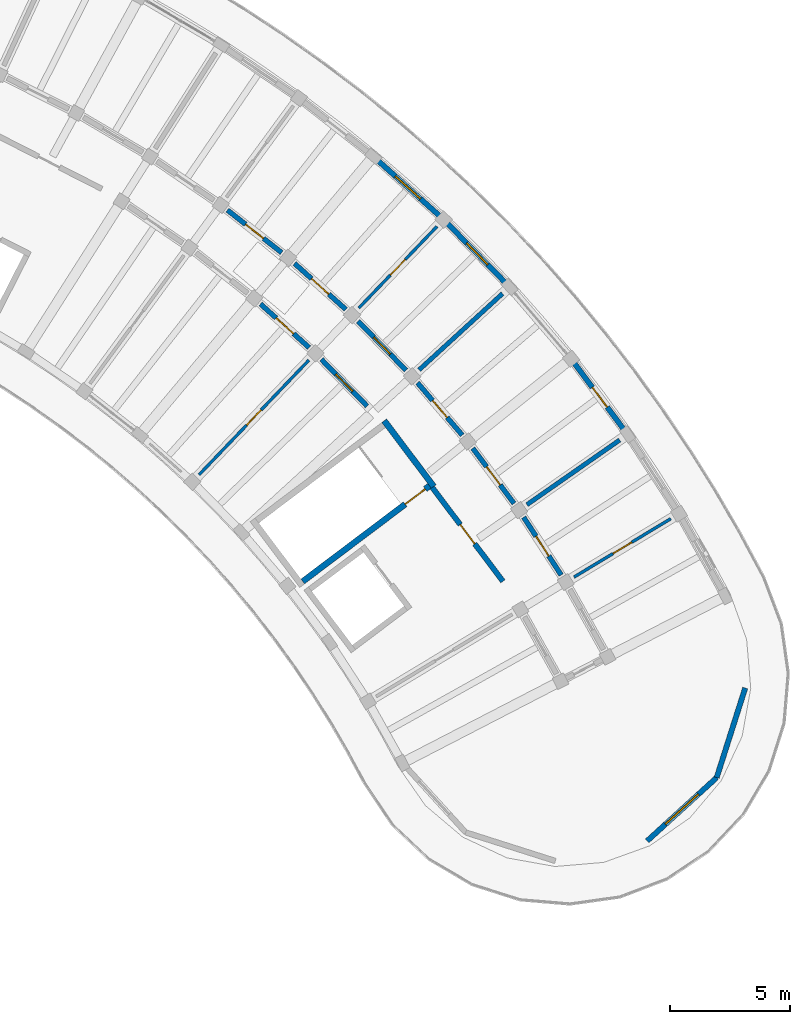
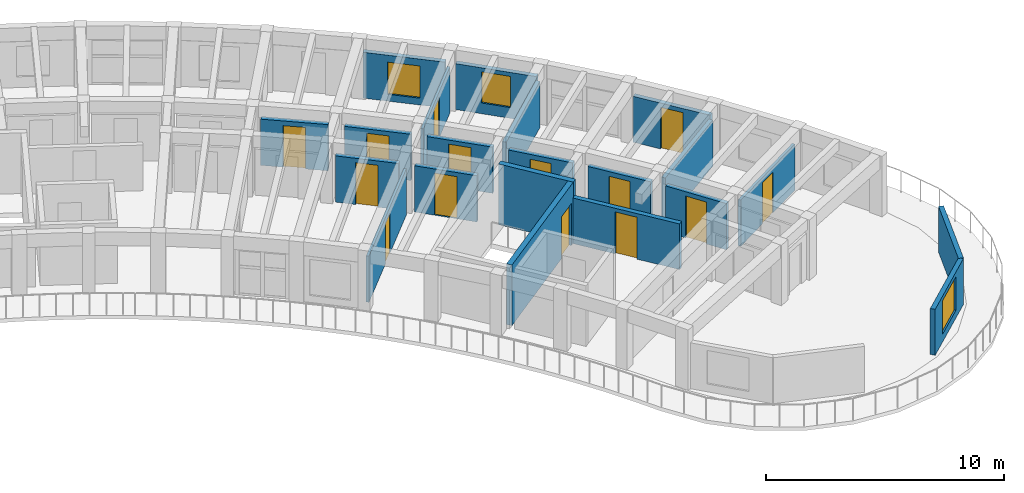
# One storey, part 23 of 32: 21 walls, 14 doors, 3 windows, 17 openings.
"""IFC4 building model written with IfcOpenShell, lengths in metres."""

from ifc_helpers import new_model, si_unit, direction, frame, frame_2d, origin, place, context, subcontext, project, spatial, rectangle, extrude, material, layer, layer_set, type_object, element, fill, save


model = new_model("IFC4")

# Units and contexts
model_context = context("Model", 3, precision=1e-05, world=origin(), true_north=direction((0.0, 1.0)))
body_context = subcontext(model_context, "Body", "Model", "MODEL_VIEW")
ifc_project = project(units=[si_unit("LENGTHUNIT", "METRE"), si_unit("AREAUNIT", "SQUARE_METRE"), si_unit("VOLUMEUNIT", "CUBIC_METRE"), si_unit("PLANEANGLEUNIT", "RADIAN"), si_unit("MASSUNIT", "GRAM", prefix="KILO")], contexts=[model_context])

# Site, building, storey
site_placement = place(None, origin())
site = spatial("IfcSite", under=ifc_project, at=site_placement, CompositionType="ELEMENT")
building_placement = place(site_placement, origin())
building = spatial("IfcBuilding", under=site, at=building_placement, Name="Tanwirah Colonnade Gardens", CompositionType="ELEMENT")
storey_placement = place(building_placement, frame((0.0, 0.0, 42.43994140625)))
storey = spatial("IfcBuildingStorey", under=building, at=storey_placement, Name="L12", CompositionType="ELEMENT", Elevation=42.43994140625)

# Wall, opening, door
ifc_material_1 = material(Name="Limestone architectural precast concrete C40/50", Category="masonry")
ifc_layer_1 = layer(ifc_material_1, 0.219970703125)
ifc_layer_set_1 = layer_set([ifc_layer_1], Name="Limestone architectural precast concrete C40/50")
wall_type_1 = type_object("IfcWallType", Name="EW-PC220", PredefinedType="SOLIDWALL", material=ifc_layer_set_1)
wall_1_placement = place(storey_placement, frame((169.747802734375, 94.39404296875, 0.0), z_axis=(0.0, 0.0, 1.0), x_axis=(-0.598704717818, 0.800969825189, 0.0)))
wall_1 = element("IfcWall", 1, at=wall_1_placement, inside=storey, type_object=wall_type_1, Name="Block B L12 OUT Precast Facade Wall 5", PredefinedType="SOLIDWALL", context=body_context, shape_type="SweptSolid", body=[
    extrude(rectangle(XDim=3.530517578125, YDim=0.219970703125, at=frame_2d((1.76513671875, 0.0))), origin(), (0.0, 0.0, 1.0), 2.35498046875),
])
opening_1_placement = place(wall_1_placement, frame((1.25537109375, 0.0, 0.0)))
opening_1 = element("IfcOpeningElement", 2, at=opening_1_placement, cuts=wall_1, Name="Opening L12-ED122", PredefinedType="OPENING", context=body_context, shape_type="SweptSolid", body=[
    extrude(rectangle(XDim=1.02001953125, YDim=2.139892578125, at=frame_2d((0.510009765625, 1.06982421875))), frame((0.0, 0.119873046875, 0.0), z_axis=(0.0, -1.0, 0.0), x_axis=(1.0, 0.0, 0.0)), (0.0, 0.0, 1.0), 0.239990234375),
])
ifc_material_2 = material(Name="Bronze aluminium glazed balcony door", Category="aluminium")
door_type_1 = type_object("IfcDoorType", Name="ED-BAL102", OperationType="NOTDEFINED", PredefinedType="DOOR", material=ifc_material_2)
door_1_placement = place(opening_1_placement, origin())
door_1 = element("IfcDoor", 3, at=door_1_placement, inside=storey, type_object=door_type_1, Name="Balcony glazed door L12-ED122", OperationType="SINGLE_SWING_RIGHT", OverallHeight=2.139892578125, OverallWidth=1.02001953125, PredefinedType="DOOR", context=body_context, shape_type="SweptSolid", body=[
    extrude(rectangle(XDim=1.02001953125, YDim=2.139892578125, at=frame_2d((0.510009765625, 1.06982421875))), frame((0.0, 0.02490234375, 0.0), z_axis=(0.0, -1.0, 0.0), x_axis=(1.0, 0.0, 0.0)), (0.0, 0.0, 1.0), 0.050048828125),
])
fill(opening_1, door_1)

# Wall, opening, window
wall_2_placement = place(storey_placement, frame((164.82861328125, 100.5068359375, 0.0), z_axis=(0.0, 0.0, 1.0), x_axis=(-0.698865423919, 0.715253185418, 0.0)))
wall_2 = element("IfcWall", 4, at=wall_2_placement, inside=storey, type_object=wall_type_1, Name="Block B L12 OUT Precast Facade Wall 7", PredefinedType="SOLIDWALL", context=body_context, shape_type="SweptSolid", body=[
    extrude(rectangle(XDim=3.53076171875, YDim=0.219970703125, at=frame_2d((1.765380859375, 0.0))), origin(), (0.0, 0.0, 1.0), 2.35498046875),
])
opening_2_placement = place(wall_2_placement, frame((1.140380859375, 0.0, 0.550048828125)))
opening_2 = element("IfcOpeningElement", 5, at=opening_2_placement, cuts=wall_2, Name="Opening WIN-T03", PredefinedType="OPENING", context=body_context, shape_type="SweptSolid", body=[
    extrude(rectangle(XDim=1.25, YDim=1.60009765625, at=frame_2d((0.625, 0.800048828125))), frame((0.0, 0.119873046875, 0.0), z_axis=(0.0, -1.0, 0.0), x_axis=(1.0, 0.0, 0.0)), (0.0, 0.0, 1.0), 0.239990234375),
])
ifc_material_3 = material(Name="Thermally broken bronze aluminium and solar low-E double glazing", Category="aluminium")
window_type_1 = type_object("IfcWindowType", Name="WIN-T03", PartitioningType="SINGLE_PANEL", PredefinedType="WINDOW", material=ifc_material_3)
window_1_placement = place(opening_2_placement, origin())
window_1 = element("IfcWindow", 6, at=window_1_placement, inside=storey, type_object=window_type_1, Name="Facade window B-L12-OUT-07", OverallHeight=1.60009765625, OverallWidth=1.25, PartitioningType="SINGLE_PANEL", PredefinedType="WINDOW", context=body_context, shape_type="SweptSolid", body=[
    extrude(rectangle(XDim=1.25, YDim=1.60009765625, at=frame_2d((0.625, 0.800048828125))), frame((0.0, 0.030029296875, 0.0), z_axis=(0.0, -1.0, 0.0), x_axis=(1.0, 0.0, 0.0)), (0.0, 0.0, 1.0), 0.06005859375),
])
fill(opening_2, window_1)

wall_3_placement = place(storey_placement, frame((162.029296875, 103.350341796875, 0.0), z_axis=(0.0, 0.0, 1.0), x_axis=(-0.744441433528, 0.667687765386, 0.0)))
wall_3 = element("IfcWall", 7, at=wall_3_placement, inside=storey, type_object=wall_type_1, Name="Block B L12 OUT Precast Facade Wall 8", PredefinedType="SOLIDWALL", context=body_context, shape_type="SweptSolid", body=[
    extrude(rectangle(XDim=3.53076171875, YDim=0.219970703125, at=frame_2d((1.765380859375, 0.0))), origin(), (0.0, 0.0, 1.0), 2.35498046875),
])
opening_3_placement = place(wall_3_placement, frame((1.0654296875, 0.0, 0.35009765625)))
opening_3 = element("IfcOpeningElement", 8, at=opening_3_placement, cuts=wall_3, Name="Opening WIN-T06", PredefinedType="OPENING", context=body_context, shape_type="SweptSolid", body=[
    extrude(rectangle(XDim=1.39990234375, YDim=1.64990234375, at=frame_2d((0.699951171875, 0.824951171875))), frame((0.0, 0.119873046875, 0.0), z_axis=(0.0, -1.0, 0.0), x_axis=(1.0, 0.0, 0.0)), (0.0, 0.0, 1.0), 0.239990234375),
])
window_type_2 = type_object("IfcWindowType", Name="WIN-T06", PartitioningType="DOUBLE_PANEL_VERTICAL", PredefinedType="WINDOW", material=ifc_material_3)
window_2_placement = place(opening_3_placement, origin())
window_2 = element("IfcWindow", 9, at=window_2_placement, inside=storey, type_object=window_type_2, Name="Facade window B-L12-OUT-08", OverallHeight=1.64990234375, OverallWidth=1.39990234375, PartitioningType="SINGLE_PANEL", PredefinedType="WINDOW", context=body_context, shape_type="SweptSolid", body=[
    extrude(rectangle(XDim=1.39990234375, YDim=1.64990234375, at=frame_2d((0.699951171875, 0.824951171875))), frame((0.0, 0.030029296875, 0.0), z_axis=(0.0, -1.0, 0.0), x_axis=(1.0, 0.0, 0.0)), (0.0, 0.0, 1.0), 0.06005859375),
])
fill(opening_3, window_2)

# Wall
wall_4_placement = place(storey_placement, frame((174.736083984375, 83.725341796875, 0.0), z_axis=(0.0, 0.0, 1.0), x_axis=(-0.30347438309, -0.952839597628, 0.0)))
element("IfcWall", 10, at=wall_4_placement, inside=storey, type_object=wall_type_1, Name="Block B L12 START Rounded End Wall 1", PredefinedType="SOLIDWALL", context=body_context, shape_type="SweptSolid", body=[
    extrude(rectangle(XDim=3.908203125, YDim=0.219970703125, at=frame_2d((1.9541015625, 0.0))), origin(), (0.0, 0.0, 1.0), 2.35498046875),
])

# Wall, opening, window
wall_5_placement = place(storey_placement, frame((173.550048828125, 80.00146484375, 0.0), z_axis=(0.0, 0.0, 1.0), x_axis=(-0.739261297827, -0.673418691109, 0.0)))
wall_5 = element("IfcWall", 11, at=wall_5_placement, inside=storey, type_object=wall_type_1, Name="Block B L12 START Rounded End Wall 2", PredefinedType="SOLIDWALL", context=body_context, shape_type="SweptSolid", body=[
    extrude(rectangle(XDim=3.908203125, YDim=0.219970703125, at=frame_2d((1.9541015625, 0.0))), origin(), (0.0, 0.0, 1.0), 2.35498046875),
])
opening_4_placement = place(wall_5_placement, frame((1.029052734375, 0.0, 0.39990234375)))
opening_4 = element("IfcOpeningElement", 12, at=opening_4_placement, cuts=wall_5, Name="Opening WIN-END1", PredefinedType="OPENING", context=body_context, shape_type="SweptSolid", body=[
    extrude(rectangle(XDim=1.85009765625, YDim=1.719970703125, at=frame_2d((0.925048828125, 0.85986328125))), frame((0.0, 0.119873046875, 0.0), z_axis=(0.0, -1.0, 0.0), x_axis=(1.0, 0.0, 0.0)), (0.0, 0.0, 1.0), 0.239990234375),
])
window_type_3 = type_object("IfcWindowType", Name="WIN-END1", PartitioningType="TRIPLE_PANEL_VERTICAL", PredefinedType="WINDOW", material=ifc_material_3)
window_3_placement = place(opening_4_placement, origin())
window_3 = element("IfcWindow", 13, at=window_3_placement, inside=storey, type_object=window_type_3, Name="Rounded corner window B-L12-START-2", OverallHeight=1.719970703125, OverallWidth=1.85009765625, PartitioningType="SINGLE_PANEL", PredefinedType="WINDOW", context=body_context, shape_type="SweptSolid", body=[
    extrude(rectangle(XDim=1.85009765625, YDim=1.719970703125, at=frame_2d((0.925048828125, 0.85986328125))), frame((0.0, 0.030029296875, 0.0), z_axis=(0.0, -1.0, 0.0), x_axis=(1.0, 0.0, 0.0)), (0.0, 0.0, 1.0), 0.06005859375),
])
fill(opening_4, window_3)

# Wall, opening, door
ifc_material_4 = material(Name="Precast concrete C40/50", Category="concrete")
ifc_layer_2 = layer(ifc_material_4, 0.205078125)
ifc_layer_set_2 = layer_set([ifc_layer_2], Name="Precast concrete C40/50")
wall_type_2 = type_object("IfcWallType", Name="IW-CORR205", PredefinedType="PARTITIONING", material=ifc_layer_set_2)
wall_6_placement = place(storey_placement, frame((167.085205078125, 88.421142578125, 0.0), z_axis=(0.0, 0.0, 1.0), x_axis=(-0.544643612649, 0.838667595178, 0.0)))
wall_6 = element("IfcWall", 14, at=wall_6_placement, inside=storey, type_object=wall_type_2, Name="Block B L12 OUT Corridor Wall 4", PredefinedType="PARTITIONING", context=body_context, shape_type="SweptSolid", body=[
    extrude(rectangle(XDim=2.863037109375, YDim=0.205078125, at=frame_2d((1.431640625, 0.0))), origin(), (0.0, 0.0, 1.0), 2.3701171875),
])
opening_5_placement = place(wall_6_placement, frame((0.946533203125, 0.0, 0.0)))
opening_5 = element("IfcOpeningElement", 15, at=opening_5_placement, cuts=wall_6, Name="Opening L12-AD1256", PredefinedType="OPENING", context=body_context, shape_type="SweptSolid", body=[
    extrude(rectangle(XDim=0.969970703125, YDim=2.14990234375, at=frame_2d((0.48486328125, 1.074951171875))), frame((0.0, 0.112548828125, 0.0), z_axis=(0.0, -1.0, 0.0), x_axis=(1.0, 0.0, 0.0)), (0.0, 0.0, 1.0), 0.22509765625),
])
ifc_material_5 = material(Name="Solid oak fire-resisting apartment entrance door")
door_type_2 = type_object("IfcDoorType", Name="ID-FLT097", OperationType="NOTDEFINED", PredefinedType="DOOR", material=ifc_material_5)
door_2_placement = place(opening_5_placement, origin())
door_2 = element("IfcDoor", 16, at=door_2_placement, inside=storey, type_object=door_type_2, Name="Apartment corridor door L12-AD1256", OperationType="SINGLE_SWING_LEFT", OverallHeight=2.14990234375, OverallWidth=0.969970703125, PredefinedType="DOOR", context=body_context, shape_type="SweptSolid", body=[
    extrude(rectangle(XDim=0.969970703125, YDim=2.14990234375, at=frame_2d((0.48486328125, 1.074951171875))), frame((0.0, 0.02490234375, 0.0), z_axis=(0.0, -1.0, 0.0), x_axis=(1.0, 0.0, 0.0)), (0.0, 0.0, 1.0), 0.050048828125),
])
fill(opening_5, door_2)

wall_7_placement = place(storey_placement, frame((165.125732421875, 91.396240234375, 0.0), z_axis=(0.0, 0.0, 1.0), x_axis=(-0.598757763243, 0.800930172335, 0.0)))
wall_7 = element("IfcWall", 17, at=wall_7_placement, inside=storey, type_object=wall_type_2, Name="Block B L12 OUT Corridor Wall 5", PredefinedType="PARTITIONING", context=body_context, shape_type="SweptSolid", body=[
    extrude(rectangle(XDim=2.86328125, YDim=0.205078125, at=frame_2d((1.431640625, 0.0))), origin(), (0.0, 0.0, 1.0), 2.3701171875),
])
opening_6_placement = place(wall_7_placement, frame((0.95654296875, 0.0, 0.0)))
opening_6 = element("IfcOpeningElement", 18, at=opening_6_placement, cuts=wall_7, Name="Opening L12-AD1257", PredefinedType="OPENING", context=body_context, shape_type="SweptSolid", body=[
    extrude(rectangle(XDim=0.949951171875, YDim=2.1298828125, at=frame_2d((0.47509765625, 1.06494140625))), frame((0.0, 0.112548828125, 0.0), z_axis=(0.0, -1.0, 0.0), x_axis=(1.0, 0.0, 0.0)), (0.0, 0.0, 1.0), 0.22509765625),
])
door_type_3 = type_object("IfcDoorType", Name="ID-FLT095", OperationType="NOTDEFINED", PredefinedType="DOOR", material=ifc_material_5)
door_3_placement = place(opening_6_placement, origin())
door_3 = element("IfcDoor", 19, at=door_3_placement, inside=storey, type_object=door_type_3, Name="Apartment corridor door L12-AD1257", OperationType="SINGLE_SWING_RIGHT", OverallHeight=2.1298828125, OverallWidth=0.949951171875, PredefinedType="DOOR", context=body_context, shape_type="SweptSolid", body=[
    extrude(rectangle(XDim=0.949951171875, YDim=2.1298828125, at=frame_2d((0.47509765625, 1.06494140625))), frame((0.0, 0.02490234375, 0.0), z_axis=(0.0, -1.0, 0.0), x_axis=(1.0, 0.0, 0.0)), (0.0, 0.0, 1.0), 0.050048828125),
])
fill(opening_6, door_3)

wall_8_placement = place(storey_placement, frame((162.974365234375, 94.23583984375, 0.0), z_axis=(0.0, 0.0, 1.0), x_axis=(-0.650194272684, 0.759767996015, 0.0)))
wall_8 = element("IfcWall", 20, at=wall_8_placement, inside=storey, type_object=wall_type_2, Name="Block B L12 OUT Corridor Wall 6", PredefinedType="PARTITIONING", context=body_context, shape_type="SweptSolid", body=[
    extrude(rectangle(XDim=2.863037109375, YDim=0.205078125, at=frame_2d((1.431640625, 0.0))), origin(), (0.0, 0.0, 1.0), 2.3701171875),
])
opening_7_placement = place(wall_8_placement, frame((0.966552734375, 0.0, 0.0)))
opening_7 = element("IfcOpeningElement", 21, at=opening_7_placement, cuts=wall_8, Name="Opening L12-AD1258", PredefinedType="OPENING", context=body_context, shape_type="SweptSolid", body=[
    extrude(rectangle(XDim=0.929931640625, YDim=2.1201171875, at=frame_2d((0.46484375, 1.06005859375))), frame((0.0, 0.112548828125, 0.0), z_axis=(0.0, -1.0, 0.0), x_axis=(1.0, 0.0, 0.0)), (0.0, 0.0, 1.0), 0.22509765625),
])
door_type_4 = type_object("IfcDoorType", Name="ID-FLT093", OperationType="NOTDEFINED", PredefinedType="DOOR", material=ifc_material_5)
door_4_placement = place(opening_7_placement, origin())
door_4 = element("IfcDoor", 22, at=door_4_placement, inside=storey, type_object=door_type_4, Name="Apartment corridor door L12-AD1258", OperationType="SINGLE_SWING_LEFT", OverallHeight=2.1201171875, OverallWidth=0.929931640625, PredefinedType="DOOR", context=body_context, shape_type="SweptSolid", body=[
    extrude(rectangle(XDim=0.929931640625, YDim=2.1201171875, at=frame_2d((0.46484375, 1.06005859375))), frame((0.0, 0.02490234375, 0.0), z_axis=(0.0, -1.0, 0.0), x_axis=(1.0, 0.0, 0.0)), (0.0, 0.0, 1.0), 0.050048828125),
])
fill(opening_7, door_4)

wall_9_placement = place(storey_placement, frame((160.640625, 96.92724609375, 0.0), z_axis=(0.0, 0.0, 1.0), x_axis=(-0.698787219683, 0.715329589496, 0.0)))
wall_9 = element("IfcWall", 23, at=wall_9_placement, inside=storey, type_object=wall_type_2, Name="Block B L12 OUT Corridor Wall 7", PredefinedType="PARTITIONING", context=body_context, shape_type="SweptSolid", body=[
    extrude(rectangle(XDim=2.863037109375, YDim=0.205078125, at=frame_2d((1.431640625, 0.0))), origin(), (0.0, 0.0, 1.0), 2.3701171875),
])
opening_8_placement = place(wall_9_placement, frame((0.9365234375, 0.0, 0.0)))
opening_8 = element("IfcOpeningElement", 24, at=opening_8_placement, cuts=wall_9, Name="Opening L12-AD1259", PredefinedType="OPENING", context=body_context, shape_type="SweptSolid", body=[
    extrude(rectangle(XDim=0.989990234375, YDim=2.159912109375, at=frame_2d((0.4951171875, 1.080078125))), frame((0.0, 0.112548828125, 0.0), z_axis=(0.0, -1.0, 0.0), x_axis=(1.0, 0.0, 0.0)), (0.0, 0.0, 1.0), 0.22509765625),
])
door_type_5 = type_object("IfcDoorType", Name="ID-FLT099", OperationType="NOTDEFINED", PredefinedType="DOOR", material=ifc_material_5)
door_5_placement = place(opening_8_placement, origin())
door_5 = element("IfcDoor", 25, at=door_5_placement, inside=storey, type_object=door_type_5, Name="Apartment corridor door L12-AD1259", OperationType="SINGLE_SWING_RIGHT", OverallHeight=2.159912109375, OverallWidth=0.989990234375, PredefinedType="DOOR", context=body_context, shape_type="SweptSolid", body=[
    extrude(rectangle(XDim=0.989990234375, YDim=2.159912109375, at=frame_2d((0.4951171875, 1.080078125))), frame((0.0, 0.02490234375, 0.0), z_axis=(0.0, -1.0, 0.0), x_axis=(1.0, 0.0, 0.0)), (0.0, 0.0, 1.0), 0.050048828125),
])
fill(opening_8, door_5)

wall_10_placement = place(storey_placement, frame((159.01708984375, 95.442626953125, 0.0), z_axis=(0.0, 0.0, 1.0), x_axis=(-0.698840007829, 0.715278018296, 0.0)))
wall_10 = element("IfcWall", 26, at=wall_10_placement, inside=storey, type_object=wall_type_2, Name="Block B L12 IN Corridor Wall 7", PredefinedType="PARTITIONING", context=body_context, shape_type="SweptSolid", body=[
    extrude(rectangle(XDim=2.718017578125, YDim=0.205078125, at=frame_2d((1.35888671875, 0.0))), origin(), (0.0, 0.0, 1.0), 2.3701171875),
])
opening_9_placement = place(wall_10_placement, frame((0.864013671875, 0.0, 0.0)))
opening_9 = element("IfcOpeningElement", 27, at=opening_9_placement, cuts=wall_10, Name="Opening L12-AD1260", PredefinedType="OPENING", context=body_context, shape_type="SweptSolid", body=[
    extrude(rectangle(XDim=0.989990234375, YDim=2.159912109375, at=frame_2d((0.4951171875, 1.080078125))), frame((0.0, 0.112548828125, 0.0), z_axis=(0.0, -1.0, 0.0), x_axis=(1.0, 0.0, 0.0)), (0.0, 0.0, 1.0), 0.22509765625),
])
door_6_placement = place(opening_9_placement, origin())
door_6 = element("IfcDoor", 28, at=door_6_placement, inside=storey, type_object=door_type_5, Name="Apartment corridor door L12-AD1260", OperationType="SINGLE_SWING_LEFT", OverallHeight=2.159912109375, OverallWidth=0.989990234375, PredefinedType="DOOR", context=body_context, shape_type="SweptSolid", body=[
    extrude(rectangle(XDim=0.989990234375, YDim=2.159912109375, at=frame_2d((0.4951171875, 1.080078125))), frame((0.0, 0.02490234375, 0.0), z_axis=(0.0, -1.0, 0.0), x_axis=(1.0, 0.0, 0.0)), (0.0, 0.0, 1.0), 0.050048828125),
])
fill(opening_9, door_6)

wall_11_placement = place(storey_placement, frame((158.134765625, 99.459228515625, 0.0), z_axis=(0.0, 0.0, 1.0), x_axis=(-0.744433521088, 0.667696587291, 0.0)))
wall_11 = element("IfcWall", 29, at=wall_11_placement, inside=storey, type_object=wall_type_2, Name="Block B L12 OUT Corridor Wall 8", PredefinedType="PARTITIONING", context=body_context, shape_type="SweptSolid", body=[
    extrude(rectangle(XDim=2.86328125, YDim=0.205078125, at=frame_2d((1.431640625, 0.0))), origin(), (0.0, 0.0, 1.0), 2.3701171875),
])
opening_10_placement = place(wall_11_placement, frame((0.946533203125, 0.0, 0.0)))
opening_10 = element("IfcOpeningElement", 30, at=opening_10_placement, cuts=wall_11, Name="Opening L12-AD1263", PredefinedType="OPENING", context=body_context, shape_type="SweptSolid", body=[
    extrude(rectangle(XDim=0.969970703125, YDim=2.14990234375, at=frame_2d((0.48486328125, 1.074951171875))), frame((0.0, 0.112548828125, 0.0), z_axis=(0.0, -1.0, 0.0), x_axis=(1.0, 0.0, 0.0)), (0.0, 0.0, 1.0), 0.22509765625),
])
door_7_placement = place(opening_10_placement, origin())
door_7 = element("IfcDoor", 31, at=door_7_placement, inside=storey, type_object=door_type_2, Name="Apartment corridor door L12-AD1263", OperationType="SINGLE_SWING_LEFT", OverallHeight=2.14990234375, OverallWidth=0.969970703125, PredefinedType="DOOR", context=body_context, shape_type="SweptSolid", body=[
    extrude(rectangle(XDim=0.969970703125, YDim=2.14990234375, at=frame_2d((0.48486328125, 1.074951171875))), frame((0.0, 0.02490234375, 0.0), z_axis=(0.0, -1.0, 0.0), x_axis=(1.0, 0.0, 0.0)), (0.0, 0.0, 1.0), 0.050048828125),
])
fill(opening_10, door_7)

wall_12_placement = place(storey_placement, frame((156.612548828125, 97.870849609375, 0.0), z_axis=(0.0, 0.0, 1.0), x_axis=(-0.744418559135, 0.667713268413, 0.0)))
wall_12 = element("IfcWall", 32, at=wall_12_placement, inside=storey, type_object=wall_type_2, Name="Block B L12 IN Corridor Wall 8", PredefinedType="PARTITIONING", context=body_context, shape_type="SweptSolid", body=[
    extrude(rectangle(XDim=2.71826171875, YDim=0.205078125, at=frame_2d((1.359130859375, 0.0))), origin(), (0.0, 0.0, 1.0), 2.3701171875),
])
opening_11_placement = place(wall_12_placement, frame((0.8740234375, 0.0, 0.0)))
opening_11 = element("IfcOpeningElement", 33, at=opening_11_placement, cuts=wall_12, Name="Opening L12-AD1264", PredefinedType="OPENING", context=body_context, shape_type="SweptSolid", body=[
    extrude(rectangle(XDim=0.969970703125, YDim=2.14990234375, at=frame_2d((0.48486328125, 1.074951171875))), frame((0.0, 0.112548828125, 0.0), z_axis=(0.0, -1.0, 0.0), x_axis=(1.0, 0.0, 0.0)), (0.0, 0.0, 1.0), 0.22509765625),
])
door_8_placement = place(opening_11_placement, origin())
door_8 = element("IfcDoor", 34, at=door_8_placement, inside=storey, type_object=door_type_2, Name="Apartment corridor door L12-AD1264", OperationType="SINGLE_SWING_RIGHT", OverallHeight=2.14990234375, OverallWidth=0.969970703125, PredefinedType="DOOR", context=body_context, shape_type="SweptSolid", body=[
    extrude(rectangle(XDim=0.969970703125, YDim=2.14990234375, at=frame_2d((0.48486328125, 1.074951171875))), frame((0.0, 0.02490234375, 0.0), z_axis=(0.0, -1.0, 0.0), x_axis=(1.0, 0.0, 0.0)), (0.0, 0.0, 1.0), 0.050048828125),
])
fill(opening_11, door_8)

wall_13_placement = place(storey_placement, frame((155.46728515625, 101.82080078125, 0.0), z_axis=(0.0, 0.0, 1.0), x_axis=(-0.786806323554, 0.617199975061, 0.0)))
wall_13 = element("IfcWall", 35, at=wall_13_placement, inside=storey, type_object=wall_type_2, Name="Block B L12 OUT Corridor Wall 9", PredefinedType="PARTITIONING", context=body_context, shape_type="SweptSolid", body=[
    extrude(rectangle(XDim=2.863037109375, YDim=0.205078125, at=frame_2d((1.431640625, 0.0))), origin(), (0.0, 0.0, 1.0), 2.3701171875),
])
opening_12_placement = place(wall_13_placement, frame((0.95654296875, 0.0, 0.0)))
opening_12 = element("IfcOpeningElement", 36, at=opening_12_placement, cuts=wall_13, Name="Opening L12-AD1265", PredefinedType="OPENING", context=body_context, shape_type="SweptSolid", body=[
    extrude(rectangle(XDim=0.949951171875, YDim=2.1298828125, at=frame_2d((0.47509765625, 1.06494140625))), frame((0.0, 0.112548828125, 0.0), z_axis=(0.0, -1.0, 0.0), x_axis=(1.0, 0.0, 0.0)), (0.0, 0.0, 1.0), 0.22509765625),
])
door_9_placement = place(opening_12_placement, origin())
door_9 = element("IfcDoor", 37, at=door_9_placement, inside=storey, type_object=door_type_3, Name="Apartment corridor door L12-AD1265", OperationType="SINGLE_SWING_RIGHT", OverallHeight=2.1298828125, OverallWidth=0.949951171875, PredefinedType="DOOR", context=body_context, shape_type="SweptSolid", body=[
    extrude(rectangle(XDim=0.949951171875, YDim=2.1298828125, at=frame_2d((0.47509765625, 1.06494140625))), frame((0.0, 0.02490234375, 0.0), z_axis=(0.0, -1.0, 0.0), x_axis=(1.0, 0.0, 0.0)), (0.0, 0.0, 1.0), 0.050048828125),
])
fill(opening_12, door_9)

# Walls
ifc_layer_3 = layer(ifc_material_4, 0.18505859375)
ifc_layer_set_3 = layer_set([ifc_layer_3], Name="Precast concrete C40/50")
wall_type_3 = type_object("IfcWallType", Name="IW-DEM185", PredefinedType="PARTITIONING", material=ifc_layer_set_3)
for number, where, z_axis, x_axis, name in (
    (38, (165.663330078125, 91.3447265625, 0.0), (0.0, 0.0, 1.0), (0.820272617205, 0.571972755876, 0.0), "Block B L12 Radial Partition 4"),
    (39, (161.180419921875, 96.947021484375, 0.0), (0.0, 0.0, 1.0), (0.737934199263, 0.674872667663, 0.0), "Block B L12 Radial Partition 6"),
):
    element("IfcWall", number, at=place(storey_placement, frame(where, z_axis=z_axis, x_axis=x_axis)), inside=storey, type_object=wall_type_3, Name=name, PredefinedType="PARTITIONING", context=body_context, shape_type="SweptSolid", body=[
        extrude(rectangle(XDim=4.699951171875, YDim=0.18505859375, at=frame_2d((2.35009765625, 0.0))), origin(), (0.0, 0.0, 1.0), 2.3701171875),
    ])

# Wall, opening, door
ifc_material_6 = material(Name="Autoclaved aerated masonry blockwork", Category="masonry")
ifc_layer_4 = layer(ifc_material_6, 0.219970703125)
ifc_layer_set_4 = layer_set([ifc_layer_4], Name="Autoclaved aerated masonry blockwork")
wall_type_4 = type_object("IfcWallType", Name="IW-FFL220", PredefinedType="PARTITIONING", material=ifc_layer_set_4)
wall_14_placement = place(storey_placement, frame((161.7177734375, 92.072509765625, 0.0), z_axis=(0.0, 0.0, 1.0), x_axis=(0.601792209296, -0.79865270101, 0.0)))
wall_14 = element("IfcWall", 40, at=wall_14_placement, inside=storey, type_object=wall_type_4, Name="CORE-B1 L12 Enclosed Lobby Fire Wall", PredefinedType="PARTITIONING", context=body_context, shape_type="SweptSolid", body=[
    extrude(rectangle(XDim=4.89990234375, YDim=0.219970703125, at=frame_2d((2.449951171875, 0.0))), origin(), (0.0, 0.0, 1.0), 2.340087890625),
])
opening_13_placement = place(wall_14_placement, frame((1.949951171875, 0.0, 0.0)))
opening_13 = element("IfcOpeningElement", 41, at=opening_13_placement, cuts=wall_14, Name="Opening L12-LD092", PredefinedType="OPENING", context=body_context, shape_type="SweptSolid", body=[
    extrude(rectangle(XDim=1.0, YDim=2.14990234375, at=frame_2d((0.5, 1.074951171875))), frame((0.0, 0.119873046875, 0.0), z_axis=(0.0, -1.0, 0.0), x_axis=(1.0, 0.0, 0.0)), (0.0, 0.0, 1.0), 0.239990234375),
])
ifc_material_7 = material(Name="Acoustic fire-resisting lobby door")
door_type_6 = type_object("IfcDoorType", Name="ID-FFL100", OperationType="NOTDEFINED", PredefinedType="DOOR", material=ifc_material_7)
door_10_placement = place(opening_13_placement, origin())
door_10 = element("IfcDoor", 42, at=door_10_placement, inside=storey, type_object=door_type_6, Name="CORE-B1 L12 Lobby Fire Door L12-LD092", OperationType="SINGLE_SWING_LEFT", OverallHeight=2.14990234375, OverallWidth=1.0, PredefinedType="DOOR", context=body_context, shape_type="SweptSolid", body=[
    extrude(rectangle(XDim=1.0, YDim=2.14990234375, at=frame_2d((0.5, 1.074951171875))), frame((0.0, 0.02490234375, 0.0), z_axis=(0.0, -1.0, 0.0), x_axis=(1.0, 0.0, 0.0)), (0.0, 0.0, 1.0), 0.050048828125),
])
fill(opening_13, door_10)

ifc_material_8 = material(Name="Moisture-resistant gypsum stud partition")
ifc_layer_5 = layer(ifc_material_8, 0.125)
ifc_layer_set_5 = layer_set([ifc_layer_5], Name="Moisture-resistant gypsum stud partition")
wall_type_5 = type_object("IfcWallType", Name="IW-INT125", PredefinedType="PARTITIONING", material=ifc_layer_set_5)
wall_15_placement = place(storey_placement, frame((167.618408203125, 88.334228515625, 0.0), z_axis=(0.0, 0.0, 1.0), x_axis=(0.856165473929, 0.516701733356, 0.0)))
wall_15 = element("IfcWall", 43, at=wall_15_placement, inside=storey, type_object=wall_type_5, Name="Block B L12 Radial Partition 3", PredefinedType="PARTITIONING", context=body_context, shape_type="SweptSolid", body=[
    extrude(rectangle(XDim=4.699951171875, YDim=0.125, at=frame_2d((2.35009765625, 0.0))), origin(), (0.0, 0.0, 1.0), 2.3701171875),
])
opening_14_placement = place(wall_15_placement, frame((1.89501953125, 0.0, 0.0)))
opening_14 = element("IfcOpeningElement", 44, at=opening_14_placement, cuts=wall_15, Name="Opening L12-RD1254", PredefinedType="OPENING", context=body_context, shape_type="SweptSolid", body=[
    extrude(rectangle(XDim=0.909912109375, YDim=2.10009765625, at=frame_2d((0.455078125, 1.050048828125))), frame((0.0, 0.072509765625, 0.0), z_axis=(0.0, -1.0, 0.0), x_axis=(1.0, 0.0, 0.0)), (0.0, 0.0, 1.0), 0.14501953125),
])
ifc_material_9 = material(Name="Painted hardwood internal room door", Category="wood")
door_type_7 = type_object("IfcDoorType", Name="ID-RM091", OperationType="NOTDEFINED", PredefinedType="DOOR", material=ifc_material_9)
door_11_placement = place(opening_14_placement, origin())
door_11 = element("IfcDoor", 45, at=door_11_placement, inside=storey, type_object=door_type_7, Name="Internal apartment door L12-RD1254", OperationType="SINGLE_SWING_RIGHT", OverallHeight=2.10009765625, OverallWidth=0.909912109375, PredefinedType="DOOR", context=body_context, shape_type="SweptSolid", body=[
    extrude(rectangle(XDim=0.909912109375, YDim=2.10009765625, at=frame_2d((0.455078125, 1.050048828125))), frame((0.0, 0.02490234375, 0.0), z_axis=(0.0, -1.0, 0.0), x_axis=(1.0, 0.0, 0.0)), (0.0, 0.0, 1.0), 0.050048828125),
])
fill(opening_14, door_11)

wall_16_placement = place(storey_placement, frame((158.671875, 99.514404296875, 0.0), z_axis=(0.0, 0.0, 1.0), x_axis=(0.691855720025, 0.722035776585, 0.0)))
wall_16 = element("IfcWall", 46, at=wall_16_placement, inside=storey, type_object=wall_type_5, Name="Block B L12 Radial Partition 7", PredefinedType="PARTITIONING", context=body_context, shape_type="SweptSolid", body=[
    extrude(rectangle(XDim=4.699951171875, YDim=0.125, at=frame_2d((2.35009765625, 0.0))), origin(), (0.0, 0.0, 1.0), 2.3701171875),
])
opening_15_placement = place(wall_16_placement, frame((1.905029296875, 0.0, 0.0)))
opening_15 = element("IfcOpeningElement", 47, at=opening_15_placement, cuts=wall_16, Name="Opening L12-RD1261", PredefinedType="OPENING", context=body_context, shape_type="SweptSolid", body=[
    extrude(rectangle(XDim=0.889892578125, YDim=2.10009765625, at=frame_2d((0.44482421875, 1.050048828125))), frame((0.0, 0.072509765625, 0.0), z_axis=(0.0, -1.0, 0.0), x_axis=(1.0, 0.0, 0.0)), (0.0, 0.0, 1.0), 0.14501953125),
])
ifc_material_10 = material(Name="Painted hardwood bedroom door", Category="wood")
door_type_8 = type_object("IfcDoorType", Name="ID-RM089", OperationType="NOTDEFINED", PredefinedType="DOOR", material=ifc_material_10)
door_12_placement = place(opening_15_placement, origin())
door_12 = element("IfcDoor", 48, at=door_12_placement, inside=storey, type_object=door_type_8, Name="Internal apartment door L12-RD1261", OperationType="SINGLE_SWING_RIGHT", OverallHeight=2.10009765625, OverallWidth=0.889892578125, PredefinedType="DOOR", context=body_context, shape_type="SweptSolid", body=[
    extrude(rectangle(XDim=0.889892578125, YDim=2.10009765625, at=frame_2d((0.44482421875, 1.050048828125))), frame((0.0, 0.02490234375, 0.0), z_axis=(0.0, -1.0, 0.0), x_axis=(1.0, 0.0, 0.0)), (0.0, 0.0, 1.0), 0.050048828125),
])
fill(opening_15, door_12)

wall_17_placement = place(storey_placement, frame((152.030029296875, 92.5830078125, 0.0), z_axis=(0.0, 0.0, 1.0), x_axis=(0.691872422458, 0.722019771919, 0.0)))
wall_17 = element("IfcWall", 49, at=wall_17_placement, inside=storey, type_object=wall_type_5, Name="Block B L12 Inner Radial Partition 7", PredefinedType="PARTITIONING", context=body_context, shape_type="SweptSolid", body=[
    extrude(rectangle(XDim=6.60009765625, YDim=0.125, at=frame_2d((3.300048828125, 0.0))), origin(), (0.0, 0.0, 1.0), 2.3701171875),
])
opening_16_placement = place(wall_17_placement, frame((2.864990234375, 0.0, 0.0)))
opening_16 = element("IfcOpeningElement", 50, at=opening_16_placement, cuts=wall_17, Name="Opening L12-RD1262", PredefinedType="OPENING", context=body_context, shape_type="SweptSolid", body=[
    extrude(rectangle(XDim=0.8701171875, YDim=2.080078125, at=frame_2d((0.43505859375, 1.0400390625))), frame((0.0, 0.072509765625, 0.0), z_axis=(0.0, -1.0, 0.0), x_axis=(1.0, 0.0, 0.0)), (0.0, 0.0, 1.0), 0.14501953125),
])
ifc_material_11 = material(Name="Painted hardwood study door", Category="wood")
door_type_9 = type_object("IfcDoorType", Name="ID-RM087", OperationType="NOTDEFINED", PredefinedType="DOOR", material=ifc_material_11)
door_13_placement = place(opening_16_placement, origin())
door_13 = element("IfcDoor", 51, at=door_13_placement, inside=storey, type_object=door_type_9, Name="Internal apartment door L12-RD1262", OperationType="SINGLE_SWING_LEFT", OverallHeight=2.080078125, OverallWidth=0.8701171875, PredefinedType="DOOR", context=body_context, shape_type="SweptSolid", body=[
    extrude(rectangle(XDim=0.8701171875, YDim=2.080078125, at=frame_2d((0.43505859375, 1.0400390625))), frame((0.0, 0.02490234375, 0.0), z_axis=(0.0, -1.0, 0.0), x_axis=(1.0, 0.0, 0.0)), (0.0, 0.0, 1.0), 0.050048828125),
])
fill(opening_16, door_13)

# Wall
ifc_material_12 = material(Name="Concrete C45/55", Category="concrete")
ifc_layer_6 = layer(ifc_material_12, 0.25)
ifc_layer_set_6 = layer_set([ifc_layer_6], Name="Concrete C45/55")
wall_type_6 = type_object("IfcWallType", Name="SW-CORE250", PredefinedType="SHEAR", material=ifc_layer_set_6)
wall_18_placement = place(storey_placement, frame((159.7314453125, 94.8330078125, 0.0), z_axis=(0.0, 0.0, 1.0), x_axis=(0.601814606132, -0.798635824294, 0.0)))
element("IfcWall", 52, at=wall_18_placement, inside=storey, type_object=wall_type_6, Name="CORE-B1 L12 Stair Shaft Shear Wall NEAR", PredefinedType="SHEAR", context=body_context, shape_type="SweptSolid", body=[
    extrude(rectangle(XDim=3.419921875, YDim=0.25, at=frame_2d((1.7099609375, 0.0))), origin(), (0.0, 0.0, 1.0), 3.110107421875),
])

# Wall, opening, door
wall_19_placement = place(storey_placement, frame((161.614501953125, 92.126220703125, 0.0), z_axis=(0.0, 0.0, 1.0), x_axis=(-0.798639633744, -0.601809550782, 0.0)))
wall_19 = element("IfcWall", 53, at=wall_19_placement, inside=storey, type_object=wall_type_6, Name="CORE-B1 L12 Stair Shaft Shear Wall RIGHT", PredefinedType="SHEAR", context=body_context, shape_type="SweptSolid", body=[
    extrude(rectangle(XDim=6.599853515625, YDim=0.25, at=frame_2d((3.2998046875, 0.0))), origin(), (0.0, 0.0, 1.0), 3.110107421875),
])
opening_17_placement = place(wall_19_placement, frame((0.219970703125, 0.0, 0.0)))
opening_17 = element("IfcOpeningElement", 54, at=opening_17_placement, cuts=wall_19, Name="Opening L12-SD078", PredefinedType="OPENING", context=body_context, shape_type="SweptSolid", body=[
    extrude(rectangle(XDim=1.050048828125, YDim=2.14990234375, at=frame_2d((0.52490234375, 1.074951171875))), frame((0.0, 0.135009765625, 0.0), z_axis=(0.0, -1.0, 0.0), x_axis=(1.0, 0.0, 0.0)), (0.0, 0.0, 1.0), 0.27001953125),
])
ifc_material_13 = material(Name="Steel fire-resisting stair enclosure door", Category="steel")
door_type_10 = type_object("IfcDoorType", Name="ID-ST105", OperationType="NOTDEFINED", PredefinedType="DOOR", material=ifc_material_13)
door_14_placement = place(opening_17_placement, origin())
door_14 = element("IfcDoor", 55, at=door_14_placement, inside=storey, type_object=door_type_10, Name="CORE-B1 L12 Stair Fire Door L12-SD078", OperationType="SINGLE_SWING_LEFT", OverallHeight=2.14990234375, OverallWidth=1.050048828125, PredefinedType="DOOR", context=body_context, shape_type="SweptSolid", body=[
    extrude(rectangle(XDim=1.050048828125, YDim=2.14990234375, at=frame_2d((0.52490234375, 1.074951171875))), frame((0.0, 0.02490234375, 0.0), z_axis=(0.0, -1.0, 0.0), x_axis=(1.0, 0.0, 0.0)), (0.0, 0.0, 1.0), 0.050048828125),
])
fill(opening_17, door_14)

save(model, "model.ifc")
